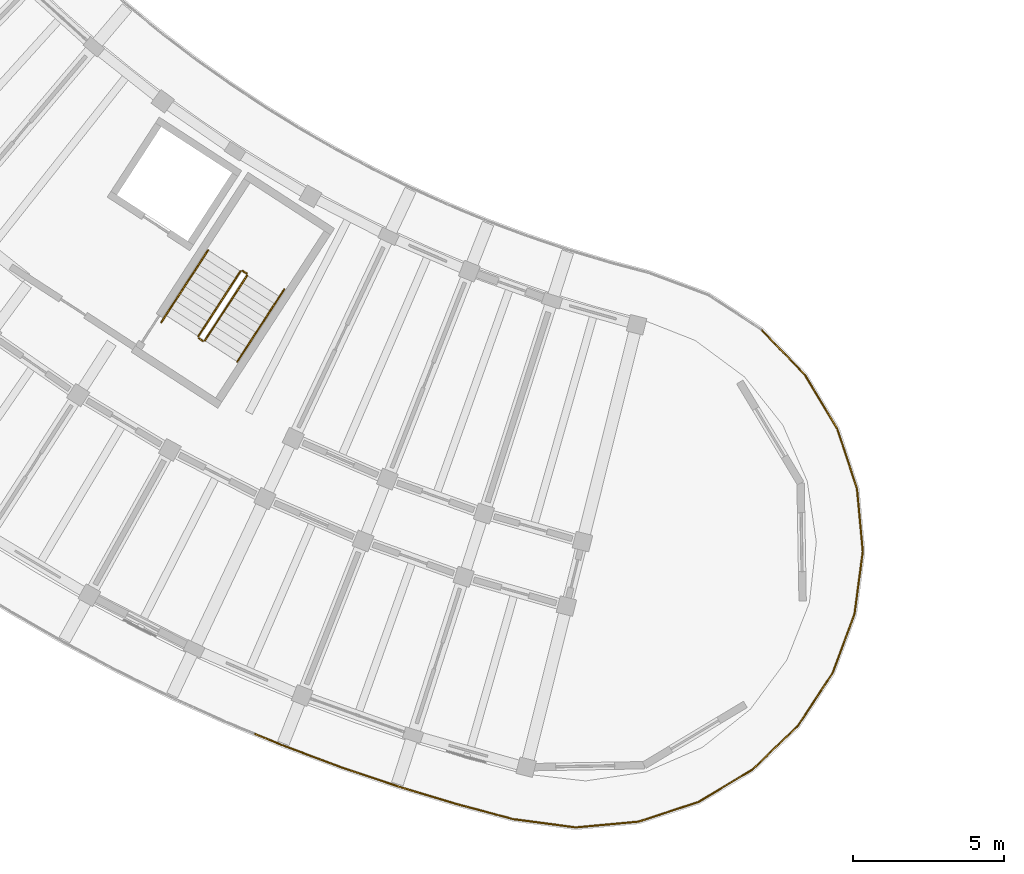
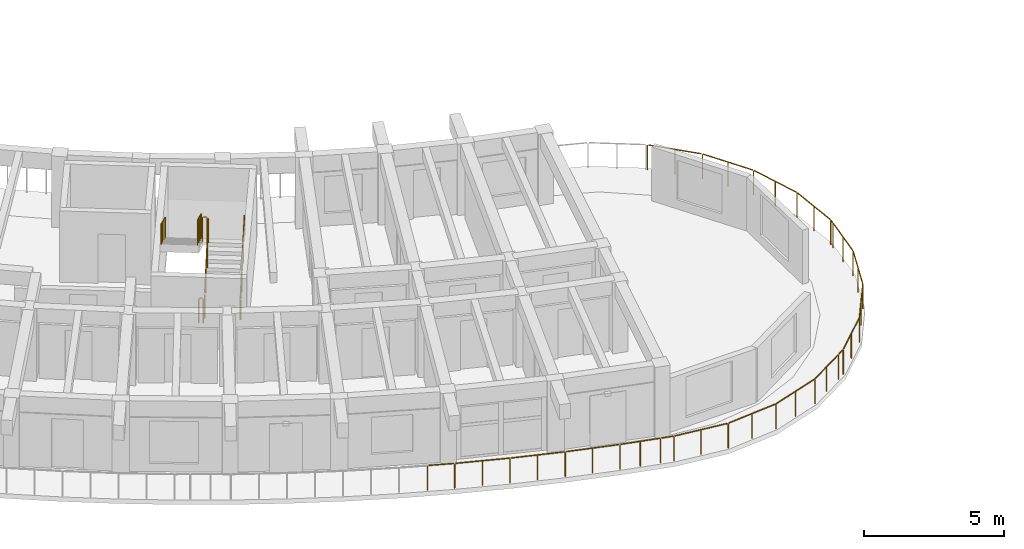
# One storey, part 67 of 81: 14 railings.
"""IFC4 building model written with IfcOpenShell, lengths in metres."""

from ifc_helpers import new_model, si_unit, direction, frame, origin, origin_2d, place, context, subcontext, project, spatial, circle, extrude, material, type_object, element, save


model = new_model("IFC4")

# Units and contexts
model_context = context("Model", 3, precision=1e-05, world=origin(), true_north=direction((0.0, 1.0)))
body_context = subcontext(model_context, "Body", "Model", "MODEL_VIEW")
ifc_project = project(units=[si_unit("LENGTHUNIT", "METRE"), si_unit("AREAUNIT", "SQUARE_METRE"), si_unit("VOLUMEUNIT", "CUBIC_METRE"), si_unit("PLANEANGLEUNIT", "RADIAN"), si_unit("MASSUNIT", "GRAM", prefix="KILO")], contexts=[model_context])

# Site, building, storey
site_placement = place(None, origin())
site = spatial("IfcSite", under=ifc_project, at=site_placement, CompositionType="ELEMENT")
building_placement = place(site_placement, origin())
building = spatial("IfcBuilding", under=site, at=building_placement, Name="Tanwirah Colonnade Gardens", CompositionType="ELEMENT")
storey_placement = place(building_placement, frame((0.0, 0.0, 18.919921875)))
storey = spatial("IfcBuildingStorey", under=building, at=storey_placement, Name="L05", CompositionType="ELEMENT", Elevation=18.919921875)

# Railings
ifc_material_1 = material(Name="Precast concrete C40/50", Category="concrete")
railing_type_1 = type_object("IfcRailingType", Name="BAL-EXT110", PredefinedType="BALUSTRADE", material=ifc_material_1)
railing_1_placement = place(storey_placement, frame((58.4072265625, 21.1796875, 0.0)))
element("IfcRailing", 1, at=railing_1_placement, inside=storey, type_object=railing_type_1, Name="Block C L05 Balcony Ribbon Balustrade 7", PredefinedType="BALUSTRADE", context=body_context, shape_type="SweptSolid", body=[
    extrude(circle(Radius=0.02392578125, at=origin_2d()), frame((0.021728515625, -0.0224609375, 1.076171875), z_axis=(0.692905401336, -0.721028504845, 0.0), x_axis=(0.721028504845, 0.692905401336, 0.0)), (0.0, 0.0, 1.0), 1.9775390625),
    extrude(circle(Radius=0.02392578125, at=origin_2d()), frame((1.4296875, -1.497802734375, 1.076171875), z_axis=(0.514994600754, -0.85719342111, 0.0), x_axis=(0.85719342111, 0.514994600754, 0.0)), (0.0, 0.0, 1.0), 2.0244140625),
    extrude(circle(Radius=0.02392578125, at=origin_2d()), frame((2.498046875, -3.28955078125, 1.076171875), z_axis=(0.311415597507, -0.950273816134, 0.0), x_axis=(0.950273816134, 0.311415597507, 0.0)), (0.0, 0.0, 1.0), 2.0244140625),
    extrude(circle(Radius=0.02392578125, at=origin_2d()), frame((3.14111328125, -5.274169921875, 1.076171875), z_axis=(0.092181027347, -0.995742264945, 0.0), x_axis=(0.995742264945, 0.092181027347, 0.0)), (0.0, 0.0, 1.0), 2.0244140625),
    extrude(circle(Radius=0.02392578125, at=origin_2d()), frame((3.326416015625, -7.35205078125, 1.076171875), z_axis=(-0.132485122951, -0.991184993932, 0.0), x_axis=(0.991184993932, -0.132485122951, 0.0)), (0.0, 0.0, 1.0), 0.136474609375),
    extrude(circle(Radius=0.02099609375, at=origin_2d()), origin(), (0.0, 0.0, 1.0), 1.049072265625),
    extrude(circle(Radius=0.02099609375, at=origin_2d()), frame((0.706787109375, -0.7353515625, 0.0)), (0.0, 0.0, 1.0), 1.049072265625),
    extrude(circle(Radius=0.02099609375, at=origin_2d()), frame((1.41357421875, -1.470947265625, 0.0)), (0.0, 0.0, 1.0), 1.049072265625),
    extrude(circle(Radius=0.02099609375, at=origin_2d()), frame((1.950927734375, -2.365234375, 0.0)), (0.0, 0.0, 1.0), 1.049072265625),
    extrude(circle(Radius=0.02099609375, at=origin_2d()), frame((2.48828125, -3.259765625, 0.0)), (0.0, 0.0, 1.0), 1.049072265625),
    extrude(circle(Radius=0.02099609375, at=origin_2d()), frame((2.813232421875, -4.25146484375, 0.0)), (0.0, 0.0, 1.0), 1.049072265625),
    extrude(circle(Radius=0.02099609375, at=origin_2d()), frame((3.13818359375, -5.242919921875, 0.0)), (0.0, 0.0, 1.0), 1.049072265625),
    extrude(circle(Radius=0.02099609375, at=origin_2d()), frame((3.234375, -6.281982421875, 0.0)), (0.0, 0.0, 1.0), 1.049072265625),
    extrude(circle(Radius=0.02099609375, at=origin_2d()), frame((3.33056640625, -7.321044921875, 0.0)), (0.0, 0.0, 1.0), 1.049072265625),
    extrude(circle(Radius=0.02099609375, at=origin_2d()), frame((3.30419921875, -7.518310546875, 0.0)), (0.0, 0.0, 1.0), 1.049072265625),
])
railing_2_placement = place(storey_placement, frame((61.71142578125, 13.661376953125, 0.0)))
element("IfcRailing", 2, at=railing_2_placement, inside=storey, type_object=railing_type_1, Name="Block C L05 Balcony Ribbon Balustrade 8", PredefinedType="BALUSTRADE", context=body_context, shape_type="SweptSolid", body=[
    extrude(circle(Radius=0.02392578125, at=origin_2d()), frame((-0.004150390625, -0.031005859375, 1.076171875), z_axis=(-0.131782511201, -0.991278653932, 0.0), x_axis=(0.991278653932, -0.131782511201, 0.0)), (0.0, 0.0, 1.0), 1.8251953125),
    extrude(circle(Radius=0.02392578125, at=origin_2d()), frame((-0.259765625, -1.900634765625, 1.076171875), z_axis=(-0.348994198599, -0.937124884604, 0.0), x_axis=(0.937124884604, -0.348994198599, 0.0)), (0.0, 0.0, 1.0), 2.024169921875),
    extrude(circle(Radius=0.02392578125, at=origin_2d()), frame((-0.994140625, -3.85302734375, 1.076171875), z_axis=(-0.548773979468, -0.835970764715, 0.0), x_axis=(0.835970764715, -0.548773979468, 0.0)), (0.0, 0.0, 1.0), 2.0244140625),
    extrude(circle(Radius=0.02392578125, at=origin_2d()), frame((-2.144775390625, -5.59326171875, 1.076171875), z_axis=(-0.721062309091, -0.692870223353, 0.0), x_axis=(0.692870223353, -0.721062309091, 0.0)), (0.0, 0.0, 1.0), 2.0244140625),
    extrude(circle(Radius=0.02392578125, at=origin_2d()), frame((-3.654052734375, -7.03369140625, 1.076171875), z_axis=(-0.857492925713, -0.514495755428, 0.0), x_axis=(0.514495755428, -0.857492925713, 0.0)), (0.0, 0.0, 1.0), 0.2890625),
    extrude(circle(Radius=0.02099609375, at=origin_2d()), origin(), (0.0, 0.0, 1.0), 1.049072265625),
    extrude(circle(Radius=0.02099609375, at=origin_2d()), frame((-0.12451171875, -0.935546875, 0.0)), (0.0, 0.0, 1.0), 1.049072265625),
    extrude(circle(Radius=0.02099609375, at=origin_2d()), frame((-0.248779296875, -1.871337890625, 0.0)), (0.0, 0.0, 1.0), 1.049072265625),
    extrude(circle(Radius=0.02099609375, at=origin_2d()), frame((-0.61279296875, -2.84912109375, 0.0)), (0.0, 0.0, 1.0), 1.049072265625),
    extrude(circle(Radius=0.02099609375, at=origin_2d()), frame((-0.97705078125, -3.826904296875, 0.0)), (0.0, 0.0, 1.0), 1.049072265625),
    extrude(circle(Radius=0.02099609375, at=origin_2d()), frame((-1.5498046875, -4.69921875, 0.0)), (0.0, 0.0, 1.0), 1.049072265625),
    extrude(circle(Radius=0.02099609375, at=origin_2d()), frame((-2.122314453125, -5.571533203125, 0.0)), (0.0, 0.0, 1.0), 1.049072265625),
    extrude(circle(Radius=0.02099609375, at=origin_2d()), frame((-2.874755859375, -6.29443359375, 0.0)), (0.0, 0.0, 1.0), 1.049072265625),
    extrude(circle(Radius=0.02099609375, at=origin_2d()), frame((-3.627197265625, -7.017578125, 0.0)), (0.0, 0.0, 1.0), 1.049072265625),
    extrude(circle(Radius=0.02099609375, at=origin_2d()), frame((-3.9287109375, -7.198486328125, 0.0)), (0.0, 0.0, 1.0), 1.049072265625),
])
railing_3_placement = place(storey_placement, frame((57.78271484375, 6.462890625, 0.0)))
element("IfcRailing", 3, at=railing_3_placement, inside=storey, type_object=railing_type_1, Name="Block C L05 Balcony Ribbon Balustrade 9", PredefinedType="BALUSTRADE", context=body_context, shape_type="SweptSolid", body=[
    extrude(circle(Radius=0.02392578125, at=origin_2d()), frame((-0.02685546875, -0.01611328125, 1.076171875), z_axis=(-0.857132694219, -0.515095665387, 0.0), x_axis=(0.515095665387, -0.857132694219, 0.0)), (0.0, 0.0, 1.0), 1.672607421875),
    extrude(circle(Radius=0.02392578125, at=origin_2d()), frame((-1.51708984375, -0.903564453125, 1.076171875), z_axis=(-0.950273816134, -0.311415597507, 0.0), x_axis=(0.311415597507, -0.950273816134, 0.0)), (0.0, 0.0, 1.0), 2.0244140625),
    extrude(circle(Radius=0.02392578125, at=origin_2d()), frame((-3.501708984375, -1.546630859375, 1.076171875), z_axis=(-0.995752995821, -0.0920650385, 0.0), x_axis=(0.0920650385, -0.995752995821, 0.0)), (0.0, 0.0, 1.0), 2.0244140625),
    extrude(circle(Radius=0.02392578125, at=origin_2d()), frame((-5.57958984375, -1.731689453125, 1.076171875), z_axis=(-0.991286952851, 0.131720071011, 0.0), x_axis=(-0.131720071011, -0.991286952851, 0.0)), (0.0, 0.0, 1.0), 2.0283203125),
    extrude(circle(Radius=0.02392578125, at=origin_2d()), frame((-7.6513671875, -1.452392578125, 1.076171875), z_axis=(-0.966202518502, 0.257784198974, 0.0), x_axis=(-0.257784198974, -0.966202518502, 0.0)), (0.0, 0.0, 1.0), 0.4375),
    extrude(circle(Radius=0.02099609375, at=origin_2d()), origin(), (0.0, 0.0, 1.0), 1.049072265625),
    extrude(circle(Radius=0.02099609375, at=origin_2d()), frame((-0.74365234375, -0.44677734375, 0.0)), (0.0, 0.0, 1.0), 1.049072265625),
    extrude(circle(Radius=0.02099609375, at=origin_2d()), frame((-1.4873046875, -0.893798828125, 0.0)), (0.0, 0.0, 1.0), 1.049072265625),
    extrude(circle(Radius=0.02099609375, at=origin_2d()), frame((-2.47900390625, -1.21875, 0.0)), (0.0, 0.0, 1.0), 1.049072265625),
    extrude(circle(Radius=0.02099609375, at=origin_2d()), frame((-3.470458984375, -1.543701171875, 0.0)), (0.0, 0.0, 1.0), 1.049072265625),
    extrude(circle(Radius=0.02099609375, at=origin_2d()), frame((-4.509521484375, -1.6396484375, 0.0)), (0.0, 0.0, 1.0), 1.049072265625),
    extrude(circle(Radius=0.02099609375, at=origin_2d()), frame((-5.548583984375, -1.73583984375, 0.0)), (0.0, 0.0, 1.0), 1.049072265625),
    extrude(circle(Radius=0.02099609375, at=origin_2d()), frame((-6.5849609375, -1.59814453125, 0.0)), (0.0, 0.0, 1.0), 1.049072265625),
    extrude(circle(Radius=0.02099609375, at=origin_2d()), frame((-7.62109375, -1.46044921875, 0.0)), (0.0, 0.0, 1.0), 1.049072265625),
    extrude(circle(Radius=0.02099609375, at=origin_2d()), frame((-8.104248046875, -1.33154296875, 0.0)), (0.0, 0.0, 1.0), 1.049072265625),
])
railing_4_placement = place(storey_placement, frame((49.678466796875, 5.13134765625, 0.0)))
element("IfcRailing", 4, at=railing_4_placement, inside=storey, type_object=railing_type_1, Name="Block C L05 Balcony Ribbon Balustrade 10", PredefinedType="BALUSTRADE", context=body_context, shape_type="SweptSolid", body=[
    extrude(circle(Radius=0.02392578125, at=origin_2d()), frame((-0.0302734375, 0.008056640625, 1.076171875), z_axis=(-0.966189083101, 0.257834551014, 0.0), x_axis=(-0.257834551014, -0.966189083101, 0.0)), (0.0, 0.0, 1.0), 1.440185546875),
    extrude(circle(Radius=0.02392578125, at=origin_2d()), frame((-1.48193359375, 0.396484375, 1.076171875), z_axis=(-0.957268624199, 0.289200243991, 0.0), x_axis=(-0.289200243991, -0.957268624199, 0.0)), (0.0, 0.0, 1.0), 1.944091796875),
    extrude(circle(Radius=0.02392578125, at=origin_2d()), frame((-3.40234375, 0.977783203125, 1.076171875), z_axis=(-0.947287006593, 0.320386215589, 0.0), x_axis=(-0.320386215589, -0.947287006593, 0.0)), (0.0, 0.0, 1.0), 1.94384765625),
    extrude(circle(Radius=0.02392578125, at=origin_2d()), frame((-5.302734375, 1.62158203125, 1.076171875), z_axis=(-0.93628917395, 0.351230099427, 0.0), x_axis=(-0.351230099427, -0.93628917395, 0.0)), (0.0, 0.0, 1.0), 1.9443359375),
    extrude(circle(Radius=0.02392578125, at=origin_2d()), frame((-7.18115234375, 2.327392578125, 1.076171875), z_axis=(-0.924320802518, 0.381616370237, 0.0), x_axis=(-0.381616370237, -0.924320802518, 0.0)), (0.0, 0.0, 1.0), 0.9150390625),
    extrude(circle(Radius=0.02099609375, at=origin_2d()), origin(), (0.0, 0.0, 1.0), 1.049072265625),
    extrude(circle(Radius=0.02099609375, at=origin_2d()), frame((-0.72607421875, 0.19384765625, 0.0)), (0.0, 0.0, 1.0), 1.049072265625),
    extrude(circle(Radius=0.02099609375, at=origin_2d()), frame((-1.451904296875, 0.387451171875, 0.0)), (0.0, 0.0, 1.0), 1.049072265625),
    extrude(circle(Radius=0.02099609375, at=origin_2d()), frame((-2.412353515625, 0.677734375, 0.0)), (0.0, 0.0, 1.0), 1.049072265625),
    extrude(circle(Radius=0.02099609375, at=origin_2d()), frame((-3.372802734375, 0.9677734375, 0.0)), (0.0, 0.0, 1.0), 1.049072265625),
    extrude(circle(Radius=0.02099609375, at=origin_2d()), frame((-4.3232421875, 1.2890625, 0.0)), (0.0, 0.0, 1.0), 1.049072265625),
    extrude(circle(Radius=0.02099609375, at=origin_2d()), frame((-5.2734375, 1.610595703125, 0.0)), (0.0, 0.0, 1.0), 1.049072265625),
    extrude(circle(Radius=0.02099609375, at=origin_2d()), frame((-6.212890625, 1.962890625, 0.0)), (0.0, 0.0, 1.0), 1.049072265625),
    extrude(circle(Radius=0.02099609375, at=origin_2d()), frame((-7.15234375, 2.3154296875, 0.0)), (0.0, 0.0, 1.0), 1.049072265625),
    extrude(circle(Radius=0.02099609375, at=origin_2d()), frame((-8.055908203125, 2.6884765625, 0.0)), (0.0, 0.0, 1.0), 1.049072265625),
])
ifc_material_2 = material(Name="Powder-coated galvanized steel", Category="steel")
railing_type_2 = type_object("IfcRailingType", Name="GRD-ST110", PredefinedType="GUARDRAIL", material=ifc_material_2)
railing_5_placement = place(storey_placement, frame((39.955078125, 20.84814453125, 0.16796875)))
element("IfcRailing", 5, at=railing_5_placement, inside=storey, type_object=railing_type_2, Name="L05 ST-C2 stair guard 1", PredefinedType="GUARDRAIL", context=body_context, shape_type="SweptSolid", body=[
    extrude(circle(Radius=0.02392578125, at=origin_2d()), frame((0.0146484375, 0.022705078125, 1.092041015625), z_axis=(0.469173019163, 0.722454294275, 0.507874463596), x_axis=(-0.838667537708, 0.544643701143, 0.0)), (0.0, 0.0, 1.0), 2.9150390625),
    extrude(circle(Radius=0.02099609375, at=origin_2d()), origin(), (0.0, 0.0, 1.0), 1.049072265625),
    extrude(circle(Radius=0.02099609375, at=origin_2d()), frame((0.465576171875, 0.717041015625, 0.504150390625)), (0.0, 0.0, 1.0), 1.049072265625),
    extrude(circle(Radius=0.02099609375, at=origin_2d()), frame((0.931396484375, 1.43408203125, 1.008056640625)), (0.0, 0.0, 1.0), 1.049072265625),
    extrude(circle(Radius=0.02099609375, at=origin_2d()), frame((1.39697265625, 2.151123046875, 1.51220703125)), (0.0, 0.0, 1.0), 1.049072265625),
])
railing_6_placement = place(storey_placement, frame((41.33740234375, 23.068603515625, 1.68017578125)))
element("IfcRailing", 6, at=railing_6_placement, inside=storey, type_object=railing_type_2, Name="L05 ST-C2 stair guard 2", PredefinedType="GUARDRAIL", context=body_context, shape_type="SweptSolid", body=[
    extrude(circle(Radius=0.02392578125, at=origin_2d()), frame((-0.026123046875, 0.01708984375, 1.076171875), z_axis=(-0.838791880614, 0.544452184326, 0.0), x_axis=(-0.544452184326, -0.838791880614, 0.0)), (0.0, 0.0, 1.0), 0.09765625),
    extrude(circle(Radius=0.02099609375, at=origin_2d()), origin(), (0.0, 0.0, 1.0), 1.049072265625),
    extrude(circle(Radius=0.02099609375, at=origin_2d()), frame((-0.13427734375, 0.087158203125, 0.0)), (0.0, 0.0, 1.0), 1.049072265625),
])
railing_7_placement = place(storey_placement, frame((41.134033203125, 23.140869140625, 1.84814453125)))
element("IfcRailing", 7, at=railing_7_placement, inside=storey, type_object=railing_type_2, Name="L05 ST-C2 stair guard 3", PredefinedType="GUARDRAIL", context=body_context, shape_type="SweptSolid", body=[
    extrude(circle(Radius=0.02392578125, at=origin_2d()), frame((-0.0146484375, -0.022705078125, 1.092041015625), z_axis=(-0.469192556557, -0.722484378858, 0.507813614603), x_axis=(0.838667537708, -0.544643701143, 0.0)), (0.0, 0.0, 1.0), 2.914794921875),
    extrude(circle(Radius=0.02099609375, at=origin_2d()), origin(), (0.0, 0.0, 1.0), 1.049072265625),
    extrude(circle(Radius=0.02099609375, at=origin_2d()), frame((-0.465576171875, -0.717041015625, 0.50390625)), (0.0, 0.0, 1.0), 1.049072265625),
    extrude(circle(Radius=0.02099609375, at=origin_2d()), frame((-0.931396484375, -1.43408203125, 1.008056640625)), (0.0, 0.0, 1.0), 1.049072265625),
    extrude(circle(Radius=0.02099609375, at=origin_2d()), frame((-1.39697265625, -2.151123046875, 1.511962890625)), (0.0, 0.0, 1.0), 1.049072265625),
])
railing_8_placement = place(storey_placement, frame((39.8857421875, 20.83349609375, 0.0)))
element("IfcRailing", 8, at=railing_8_placement, inside=storey, type_object=railing_type_2, Name="L05 ST-C2 stair guard 4", PredefinedType="GUARDRAIL", context=body_context, shape_type="SweptSolid", body=[
    extrude(circle(Radius=0.02392578125, at=origin_2d()), frame((-0.026123046875, 0.01708984375, 1.076171875), z_axis=(-0.838338936283, 0.545149362938, 0.0), x_axis=(-0.545149362938, -0.838338936283, 0.0)), (0.0, 0.0, 1.0), 0.097412109375),
    extrude(circle(Radius=0.02099609375, at=origin_2d()), origin(), (0.0, 0.0, 1.0), 1.049072265625),
    extrude(circle(Radius=0.02099609375, at=origin_2d()), frame((-0.134033203125, 0.087158203125, 0.0)), (0.0, 0.0, 1.0), 1.049072265625),
])
ifc_material_3 = material(Name="Brushed bronze stainless steel", Category="steel")
railing_type_3 = type_object("IfcRailingType", Name="HR-ST090", PredefinedType="HANDRAIL", material=ifc_material_3)
railing_9_placement = place(storey_placement, frame((41.028564453125, 20.151123046875, 0.16796875)))
element("IfcRailing", 9, at=railing_9_placement, inside=storey, type_object=railing_type_3, Name="L05 ST-C2 stair handrail 1", PredefinedType="HANDRAIL", context=body_context, shape_type="SweptSolid", body=[
    extrude(circle(Radius=0.02392578125, at=origin_2d()), frame((0.0146484375, 0.0224609375, 0.891845703125), z_axis=(0.467836641068, 0.720411023977, 0.511993001717), x_axis=(-0.838672561027, 0.544635965926, 0.0)), (0.0, 0.0, 1.0), 1.043212890625),
    extrude(circle(Radius=0.02099609375, at=origin_2d()), origin(), (0.0, 0.0, 1.0), 0.848876953125),
    extrude(circle(Radius=0.02099609375, at=origin_2d()), frame((0.517333984375, 0.796630859375, 0.566162109375)), (0.0, 0.0, 1.0), 0.848876953125),
])
railing_10_placement = place(storey_placement, frame((41.5458984375, 20.94775390625, 0.734130859375)))
element("IfcRailing", 10, at=railing_10_placement, inside=storey, type_object=railing_type_3, Name="L05 ST-C2 stair handrail 2", PredefinedType="HANDRAIL", context=body_context, shape_type="SweptSolid", body=[
    extrude(circle(Radius=0.02392578125, at=origin_2d()), frame((0.0146484375, 0.0224609375, 0.891845703125), z_axis=(0.467889522294, 0.720492454576, 0.511830067333), x_axis=(-0.838672561027, 0.544635965926, 0.0)), (0.0, 0.0, 1.0), 1.043212890625),
    extrude(circle(Radius=0.02099609375, at=origin_2d()), origin(), (0.0, 0.0, 1.0), 0.848876953125),
    extrude(circle(Radius=0.02099609375, at=origin_2d()), frame((0.517333984375, 0.796630859375, 0.56591796875)), (0.0, 0.0, 1.0), 0.848876953125),
])
railing_11_placement = place(storey_placement, frame((42.063232421875, 21.744384765625, 1.300048828125)))
element("IfcRailing", 11, at=railing_11_placement, inside=storey, type_object=railing_type_3, Name="L05 ST-C2 stair handrail 3", PredefinedType="HANDRAIL", context=body_context, shape_type="SweptSolid", body=[
    extrude(circle(Radius=0.02392578125, at=origin_2d()), frame((0.0146484375, 0.0224609375, 0.891845703125), z_axis=(0.467987521127, 0.720524183471, 0.511695789609), x_axis=(-0.838631412534, 0.544699324317, 0.0)), (0.0, 0.0, 1.0), 1.04345703125),
    extrude(circle(Radius=0.02099609375, at=origin_2d()), origin(), (0.0, 0.0, 1.0), 0.848876953125),
    extrude(circle(Radius=0.02099609375, at=origin_2d()), frame((0.517578125, 0.796875, 0.56591796875)), (0.0, 0.0, 1.0), 0.848876953125),
])
railing_12_placement = place(storey_placement, frame((40.060546875, 23.838134765625, 1.84814453125)))
element("IfcRailing", 12, at=railing_12_placement, inside=storey, type_object=railing_type_3, Name="L05 ST-C2 stair handrail 4", PredefinedType="HANDRAIL", context=body_context, shape_type="SweptSolid", body=[
    extrude(circle(Radius=0.02392578125, at=origin_2d()), frame((-0.0146484375, -0.0224609375, 0.891845703125), z_axis=(-0.467987521127, -0.720524183471, 0.511695789609), x_axis=(0.838631412534, -0.544699324317, 0.0)), (0.0, 0.0, 1.0), 1.04345703125),
    extrude(circle(Radius=0.02099609375, at=origin_2d()), origin(), (0.0, 0.0, 1.0), 0.848876953125),
    extrude(circle(Radius=0.02099609375, at=origin_2d()), frame((-0.517578125, -0.796875, 0.56591796875)), (0.0, 0.0, 1.0), 0.848876953125),
])
railing_13_placement = place(storey_placement, frame((39.54296875, 23.041259765625, 2.4140625)))
element("IfcRailing", 13, at=railing_13_placement, inside=storey, type_object=railing_type_3, Name="L05 ST-C2 stair handrail 5", PredefinedType="HANDRAIL", context=body_context, shape_type="SweptSolid", body=[
    extrude(circle(Radius=0.02392578125, at=origin_2d()), frame((-0.0146484375, -0.0224609375, 0.891845703125), z_axis=(-0.467889522294, -0.720492454576, 0.511830067333), x_axis=(0.838672561027, -0.544635965926, 0.0)), (0.0, 0.0, 1.0), 1.043212890625),
    extrude(circle(Radius=0.02099609375, at=origin_2d()), origin(), (0.0, 0.0, 1.0), 0.848876953125),
    extrude(circle(Radius=0.02099609375, at=origin_2d()), frame((-0.517333984375, -0.796630859375, 0.56591796875)), (0.0, 0.0, 1.0), 0.848876953125),
])
railing_14_placement = place(storey_placement, frame((39.025634765625, 22.24462890625, 2.97998046875)))
element("IfcRailing", 14, at=railing_14_placement, inside=storey, type_object=railing_type_3, Name="L05 ST-C2 stair handrail 6", PredefinedType="HANDRAIL", context=body_context, shape_type="SweptSolid", body=[
    extrude(circle(Radius=0.02392578125, at=origin_2d()), frame((-0.0146484375, -0.0224609375, 0.891845703125), z_axis=(-0.467836641068, -0.720411023977, 0.511993001717), x_axis=(0.838672561027, -0.544635965926, 0.0)), (0.0, 0.0, 1.0), 1.043212890625),
    extrude(circle(Radius=0.02099609375, at=origin_2d()), origin(), (0.0, 0.0, 1.0), 0.848876953125),
    extrude(circle(Radius=0.02099609375, at=origin_2d()), frame((-0.517333984375, -0.796630859375, 0.566162109375)), (0.0, 0.0, 1.0), 0.848876953125),
])

save(model, "model.ifc")
